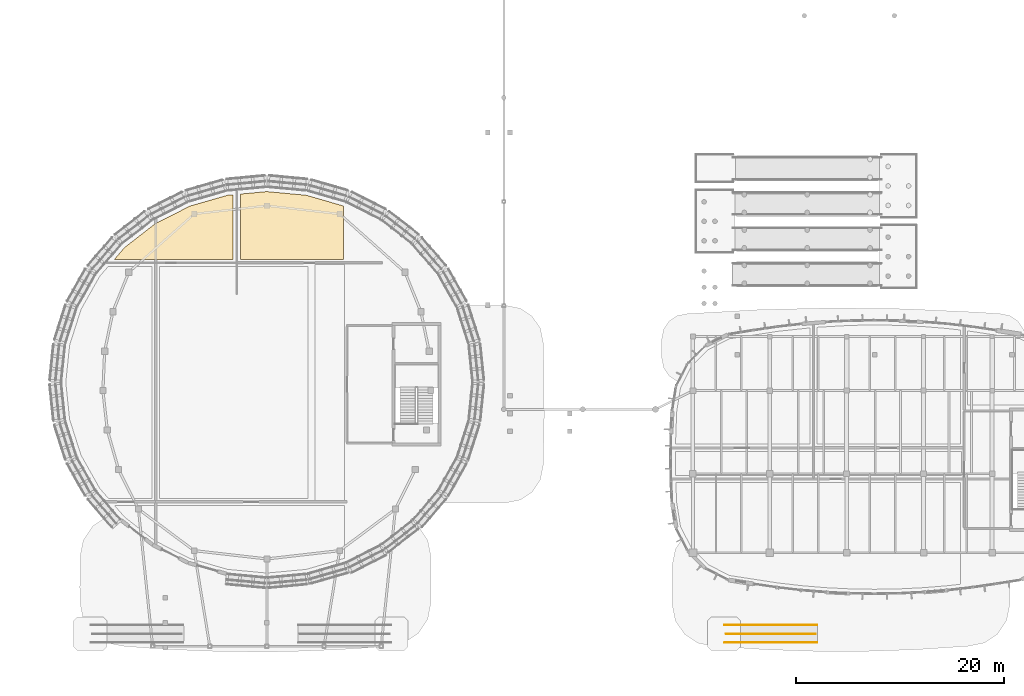
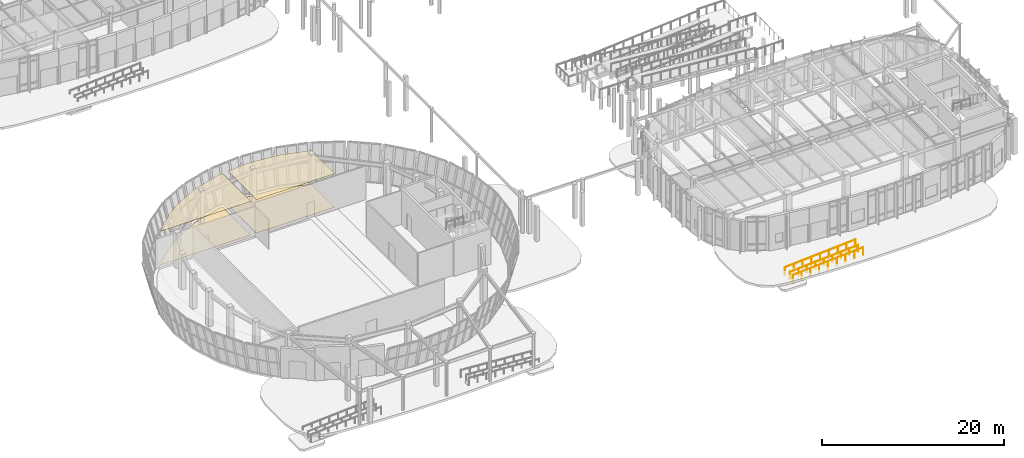
# One storey, part 105 of 120: 4 coverings, 3 railings.
"""IFC4 building model written with IfcOpenShell, lengths in metres."""

from ifc_helpers import new_model, si_unit, direction, frame, origin, origin_2d, place, context, subcontext, project, spatial, polyline, circle, outline, extrude, material, layer, layer_set, type_object, element, save


model = new_model("IFC4")

# Units and contexts
model_context = context("Model", 3, precision=1e-05, world=origin(), true_north=direction((0.0, 1.0)))
body_context = subcontext(model_context, "Body", "Model", "MODEL_VIEW")
ifc_project = project(units=[si_unit("LENGTHUNIT", "METRE"), si_unit("AREAUNIT", "SQUARE_METRE"), si_unit("VOLUMEUNIT", "CUBIC_METRE"), si_unit("PLANEANGLEUNIT", "RADIAN"), si_unit("MASSUNIT", "GRAM", prefix="KILO")], contexts=[model_context])

# Site, building, storey
site_placement = place(None, origin())
site = spatial("IfcSite", under=ifc_project, at=site_placement, CompositionType="ELEMENT")
building_placement = place(site_placement, origin())
building = spatial("IfcBuilding", under=site, at=building_placement, Name="Corveleigh Park Community Centre", CompositionType="ELEMENT")
storey_placement = place(building_placement, origin())
storey = spatial("IfcBuildingStorey", under=building, at=storey_placement, Name="L00", CompositionType="ELEMENT", Elevation=0.0)

# Coverings
ifc_material_1 = material(Name="Perforated acoustic suspended ceiling", Category="gypsum")
ifc_layer_1 = layer(ifc_material_1, 0.0400390625, Name="Perforated acoustic suspended ceiling", Category="gypsum")
ifc_layer_set_1 = layer_set([ifc_layer_1], Name="Perforated acoustic suspended ceiling")
covering_type_1 = type_object("IfcCoveringType", Name="COV-CLG-ACU", PredefinedType="CEILING", material=ifc_layer_set_1)
covering_1_placement = place(storey_placement, frame((0.0, 0.0, 4.47998046875)))
element("IfcCovering", 1, at=covering_1_placement, inside=storey, type_object=covering_type_1, Name="Performers Green Room acoustic ceiling", PredefinedType="CEILING", context=body_context, shape_type="SweptSolid", body=[
    extrude(outline(polyline([(27.760009765625, 39.43994140625), (16.323974609375, 39.43994140625), (17.303955078125, 40.573974609375), (20.237060546875, 42.85888671875), (23.5849609375, 44.55810546875), (27.218994140625, 45.60498046875), (27.760009765625, 45.655029296875), (27.760009765625, 39.43994140625)])), origin(), (0.0, 0.0, 1.0), 0.0400390625),
])
covering_2_placement = place(storey_placement, frame((0.0, 0.0, 4.47998046875)))
element("IfcCovering", 2, at=covering_2_placement, inside=storey, type_object=covering_type_1, Name="Accessible and Public Toilets V1 acoustic ceiling", PredefinedType="CEILING", context=body_context, shape_type="SweptSolid", body=[
    extrude(outline(polyline([(28.43994140625, 45.718994140625), (31.0, 45.9580078125), (34.781005859375, 45.60498046875), (38.360107421875, 44.573974609375), (38.360107421875, 39.43994140625), (28.43994140625, 39.43994140625), (28.43994140625, 45.718994140625)])), origin(), (0.0, 0.0, 1.0), 0.0400390625),
])
ifc_material_2 = material(Name="Acoustic linoleum flooring", Category="wood")
ifc_layer_2 = layer(ifc_material_2, 0.02490234375, Name="Acoustic linoleum flooring", Category="wood")
ifc_layer_set_2 = layer_set([ifc_layer_2], Name="Acoustic linoleum flooring")
covering_type_2 = type_object("IfcCoveringType", Name="COV-FLR-LIN", PredefinedType="FLOORING", material=ifc_layer_set_2)
covering_3_placement = place(storey_placement, origin())
element("IfcCovering", 3, at=covering_3_placement, inside=storey, type_object=covering_type_2, Name="Performers Green Room flooring", PredefinedType="FLOORING", context=body_context, shape_type="SweptSolid", body=[
    extrude(outline(polyline([(27.760009765625, 39.43994140625), (16.323974609375, 39.43994140625), (17.303955078125, 40.573974609375), (20.237060546875, 42.85888671875), (23.5849609375, 44.55810546875), (27.218994140625, 45.60498046875), (27.760009765625, 45.655029296875), (27.760009765625, 39.43994140625)])), origin(), (0.0, 0.0, 1.0), 0.02490234375),
])
covering_4_placement = place(storey_placement, origin())
element("IfcCovering", 4, at=covering_4_placement, inside=storey, type_object=covering_type_2, Name="Accessible and Public Toilets V1 flooring", PredefinedType="FLOORING", context=body_context, shape_type="SweptSolid", body=[
    extrude(outline(polyline([(28.43994140625, 45.718994140625), (31.0, 45.9580078125), (34.781005859375, 45.60498046875), (38.360107421875, 44.573974609375), (38.360107421875, 39.43994140625), (28.43994140625, 39.43994140625), (28.43994140625, 45.718994140625)])), origin(), (0.0, 0.0, 1.0), 0.02490234375),
])

# Railings
ifc_material_3 = material(Name="Stainless steel 316 balustrade", Category="steel")
railing_type_1 = type_object("IfcRailingType", Name="RLG-BAL-EXT-1100", PredefinedType="BALUSTRADE", material=ifc_material_3)
for number, where, name in (
    (5, (75.050048828125, 4.260009765625, -0.596923828125), "Ramp RM3 guard L"),
    (6, (75.050048828125, 2.5400390625, -0.596923828125), "Ramp RM3 guard R"),
):
    element("IfcRailing", number, at=place(storey_placement, frame(where)), inside=storey, type_object=railing_type_1, Name=name, PredefinedType="BALUSTRADE", context=body_context, shape_type="SweptSolid", body=[
        extrude(circle(Radius=0.02392578125, at=origin_2d()), frame((0.0, 0.0, 1.076171875), z_axis=(0.997780189552, 0.0, 0.066593493202), x_axis=(0.0, 1.0, 0.0)), (0.0, 0.0, 1.0), 8.919677734375),
        extrude(circle(Radius=0.02099609375, at=origin_2d()), origin(), (0.0, 0.0, 1.0), 1.052001953125),
        extrude(circle(Radius=0.02099609375, at=origin_2d()), frame((1.112548828125, 0.0, 0.07421875)), (0.0, 0.0, 1.0), 1.052001953125),
        extrude(circle(Radius=0.02099609375, at=origin_2d()), frame((2.22509765625, 0.0, 0.1484375)), (0.0, 0.0, 1.0), 1.052001953125),
        extrude(circle(Radius=0.02099609375, at=origin_2d()), frame((3.33740234375, 0.0, 0.22265625)), (0.0, 0.0, 1.0), 1.052001953125),
        extrude(circle(Radius=0.02099609375, at=origin_2d()), frame((4.449951171875, 0.0, 0.296875)), (0.0, 0.0, 1.0), 1.052001953125),
        extrude(circle(Radius=0.02099609375, at=origin_2d()), frame((5.5625, 0.0, 0.371337890625)), (0.0, 0.0, 1.0), 1.052001953125),
        extrude(circle(Radius=0.02099609375, at=origin_2d()), frame((6.6748046875, 0.0, 0.445556640625)), (0.0, 0.0, 1.0), 1.052001953125),
        extrude(circle(Radius=0.02099609375, at=origin_2d()), frame((7.787353515625, 0.0, 0.519775390625)), (0.0, 0.0, 1.0), 1.052001953125),
        extrude(circle(Radius=0.02099609375, at=origin_2d()), frame((8.89990234375, 0.0, 0.593994140625)), (0.0, 0.0, 1.0), 1.052001953125),
    ])
ifc_material_4 = material(Name="Powder-coated aluminium handrail", Category="aluminium")
railing_type_2 = type_object("IfcRailingType", Name="RLG-HND-EXT-950", PredefinedType="HANDRAIL", material=ifc_material_4)
railing_placement = place(storey_placement, frame((75.199951171875, 3.39990234375, -0.5869140625)))
element("IfcRailing", 7, at=railing_placement, inside=storey, type_object=railing_type_2, Name="Accessible ramp handrail RM3", PredefinedType="HANDRAIL", context=body_context, shape_type="SweptSolid", body=[
    extrude(circle(Radius=0.02392578125, at=origin_2d()), frame((0.0, 0.0, 0.92578125), z_axis=(0.997780267202, 0.0, 0.066592329762), x_axis=(0.0, 1.0, 0.0)), (0.0, 0.0, 1.0), 8.619140625),
    extrude(circle(Radius=0.02099609375, at=origin_2d()), origin(), (0.0, 0.0, 1.0), 0.90185546875),
    extrude(circle(Radius=0.02099609375, at=origin_2d()), frame((1.074951171875, 0.0, 0.07177734375)), (0.0, 0.0, 1.0), 0.90185546875),
    extrude(circle(Radius=0.02099609375, at=origin_2d()), frame((2.14990234375, 0.0, 0.1435546875)), (0.0, 0.0, 1.0), 0.90185546875),
    extrude(circle(Radius=0.02099609375, at=origin_2d()), frame((3.22509765625, 0.0, 0.21533203125)), (0.0, 0.0, 1.0), 0.90185546875),
    extrude(circle(Radius=0.02099609375, at=origin_2d()), frame((4.300048828125, 0.0, 0.287109375)), (0.0, 0.0, 1.0), 0.90185546875),
    extrude(circle(Radius=0.02099609375, at=origin_2d()), frame((5.375, 0.0, 0.358642578125)), (0.0, 0.0, 1.0), 0.90185546875),
    extrude(circle(Radius=0.02099609375, at=origin_2d()), frame((6.4501953125, 0.0, 0.430419921875)), (0.0, 0.0, 1.0), 0.90185546875),
    extrude(circle(Radius=0.02099609375, at=origin_2d()), frame((7.525146484375, 0.0, 0.502197265625)), (0.0, 0.0, 1.0), 0.90185546875),
    extrude(circle(Radius=0.02099609375, at=origin_2d()), frame((8.60009765625, 0.0, 0.573974609375)), (0.0, 0.0, 1.0), 0.90185546875),
])

save(model, "model.ifc")
